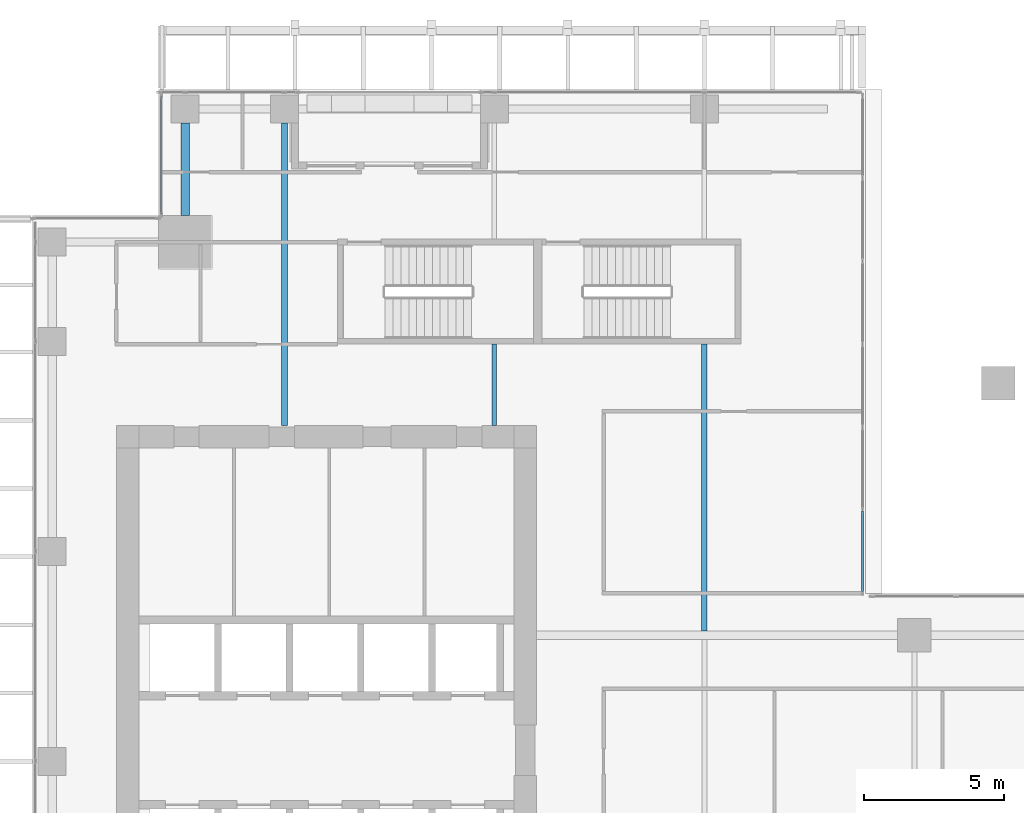
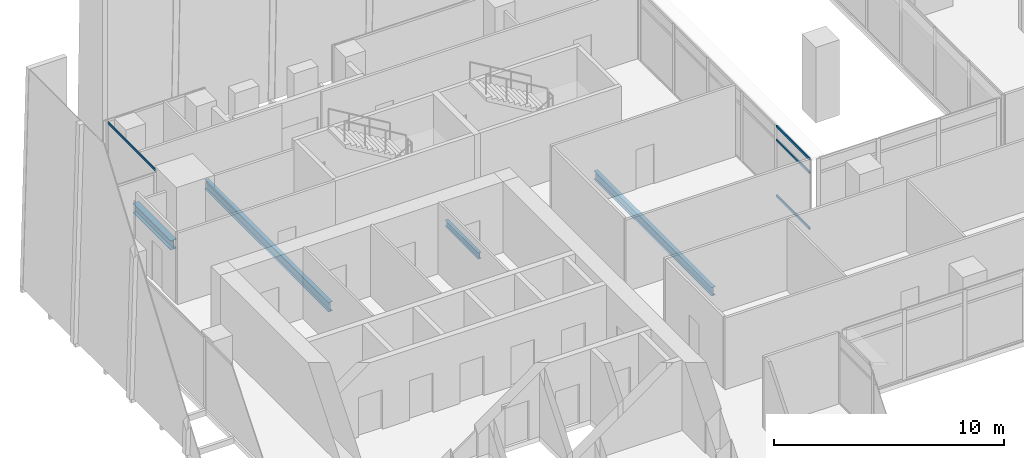
# One storey, part 18 of 40: 4 beams, 4 members, 2 elements without a shape of their own.
"""IFC4 building model written with IfcOpenShell, lengths in metres."""

from ifc_helpers import new_model, si_unit, direction, frame, origin, origin_2d, place, context, subcontext, project, spatial, hollow_rectangle, i_section, extrude, source, transform, mapped, material, material_profile, profile_set, type_object, element, aggregate, save


model = new_model("IFC4")

# Units and contexts
model_context = context("Model", 3, precision=1e-05, world=origin(), true_north=direction((0.0, 1.0)))
body_context = subcontext(model_context, "Body", "Model", "MODEL_VIEW")
ifc_project = project(units=[si_unit("LENGTHUNIT", "METRE"), si_unit("AREAUNIT", "SQUARE_METRE"), si_unit("VOLUMEUNIT", "CUBIC_METRE"), si_unit("PLANEANGLEUNIT", "RADIAN"), si_unit("MASSUNIT", "GRAM", prefix="KILO")], contexts=[model_context])

# Site, building, storey
site_placement = place(None, origin())
site = spatial("IfcSite", under=ifc_project, at=site_placement, CompositionType="ELEMENT")
building_placement = place(site_placement, origin())
building = spatial("IfcBuilding", under=site, at=building_placement, Name="Khomas Fold Tower", CompositionType="ELEMENT")
storey_placement = place(building_placement, frame((0.0, 0.0, 176.699951171875)))
storey = spatial("IfcBuildingStorey", under=building, at=storey_placement, Name="L38", CompositionType="ELEMENT", Elevation=176.699951171875)

# Beams
ifc_material_1 = material(Name="Steel S355", Category="steel")
ifc_material_profile_1 = material_profile(ifc_material_1, i_section(OverallWidth=0.18994140625, OverallDepth=0.449951171875, WebThickness=0.009521484375, FlangeThickness=0.0146484375, at=origin_2d()), Name="IPE 450")
ifc_profile_set_1 = profile_set([ifc_material_profile_1], Name="Steel S355")
beam_type_1 = type_object("IfcBeamType", Name="IPE 450 beam JB4", PredefinedType="BEAM", material=ifc_profile_set_1)
shared_shape_1 = source(origin(), body_context, "Body", "SweptSolid", [
    extrude(i_section(OverallWidth=0.18994140625, OverallDepth=0.449951171875, WebThickness=0.009521484375, FlangeThickness=0.0146484375, at=origin_2d()), origin(), (0.0, 0.0, 1.0), 10.25),
])
beam_1_placement = place(storey_placement, frame((27.0, 31.64990234375, -0.474853515625), z_axis=(0.0, 1.0, 0.0), x_axis=(-1.0, 0.0, 0.0)))
element("IfcBeam", 1, at=beam_1_placement, inside=storey, type_object=beam_type_1, Name="JB4", PredefinedType="BEAM", context=body_context, shape_type="MappedRepresentation", body=[
    mapped(shared_shape_1, transform((0.0, 0.0, 0.0))),
])
ifc_material_2 = material(Name="Steel S355", Category="steel")
ifc_material_profile_2 = material_profile(ifc_material_2, i_section(OverallWidth=0.300048828125, OverallDepth=0.5, WebThickness=0.014404296875, FlangeThickness=0.028076171875, at=origin_2d()), Name="HE 500 B")
ifc_profile_set_2 = profile_set([ifc_material_profile_2], Name="Steel S355")
beam_type_2 = type_object("IfcBeamType", Name="HE 500 B spandrel SB3", PredefinedType="SPANDREL", material=ifc_profile_set_2)
shared_shape_2 = source(origin(), body_context, "Body", "SweptSolid", [
    extrude(i_section(OverallWidth=0.300048828125, OverallDepth=0.5, WebThickness=0.014404296875, FlangeThickness=0.028076171875, at=origin_2d()), origin(), (0.0, 0.0, 1.0), 3.300048828125),
])
beam_2_placement = place(storey_placement, frame((8.449951171875, 46.5, -0.5), z_axis=(0.0, 1.0, 0.0), x_axis=(-1.0, 0.0, 0.0)))
element("IfcBeam", 2, at=beam_2_placement, inside=storey, type_object=beam_type_2, Name="SB3", PredefinedType="SPANDREL", context=body_context, shape_type="MappedRepresentation", body=[
    mapped(shared_shape_2, transform((0.0, 0.0, 0.0))),
])
ifc_material_3 = material(Name="Steel S355", Category="steel")
ifc_material_profile_3 = material_profile(ifc_material_3, i_section(OverallWidth=0.199951171875, OverallDepth=0.5, WebThickness=0.01025390625, FlangeThickness=0.01611328125, at=origin_2d()), Name="IPE 500")
ifc_profile_set_3 = profile_set([ifc_material_profile_3], Name="Steel S355")
beam_type_3 = type_object("IfcBeamType", Name="IPE 500 beam JB5", PredefinedType="BEAM", material=ifc_profile_set_3)
shared_shape_3 = source(origin(), body_context, "Body", "SweptSolid", [
    extrude(i_section(OverallWidth=0.199951171875, OverallDepth=0.5, WebThickness=0.01025390625, FlangeThickness=0.01611328125, at=origin_2d()), origin(), (0.0, 0.0, 1.0), 10.800048828125),
])
beam_3_placement = place(storey_placement, frame((12.0, 39.0, -0.5), z_axis=(0.0, 1.0, 0.0), x_axis=(-1.0, 0.0, 0.0)))
element("IfcBeam", 3, at=beam_3_placement, inside=storey, type_object=beam_type_3, Name="JB5", PredefinedType="BEAM", context=body_context, shape_type="MappedRepresentation", body=[
    mapped(shared_shape_3, transform((0.0, 0.0, 0.0))),
])
ifc_material_4 = material(Name="Steel S355", Category="steel")
ifc_material_profile_4 = material_profile(ifc_material_4, i_section(OverallWidth=0.159912109375, OverallDepth=0.330078125, WebThickness=0.007568359375, FlangeThickness=0.011474609375, at=origin_2d()), Name="IPE 330")
ifc_profile_set_4 = profile_set([ifc_material_profile_4], Name="Steel S355")
beam_type_4 = type_object("IfcBeamType", Name="IPE 330 beam JB1", PredefinedType="BEAM", material=ifc_profile_set_4)
shared_shape_4 = source(origin(), body_context, "Body", "SweptSolid", [
    extrude(i_section(OverallWidth=0.159912109375, OverallDepth=0.330078125, WebThickness=0.007568359375, FlangeThickness=0.011474609375, at=origin_2d()), origin(), (0.0, 0.0, 1.0), 2.89990234375),
])
beam_4_placement = place(storey_placement, frame((19.5, 39.0, -0.4150390625), z_axis=(0.0, 1.0, 0.0), x_axis=(-1.0, 0.0, 0.0)))
element("IfcBeam", 4, at=beam_4_placement, inside=storey, type_object=beam_type_4, Name="JB1", PredefinedType="BEAM", context=body_context, shape_type="MappedRepresentation", body=[
    mapped(shared_shape_4, transform((0.0, 0.0, 0.0))),
])

# Curtain wall, member
ifc_material_5 = material(Name="Aluminium framed double glazing", Category="aluminium")
curtain_wall_type_1 = type_object("IfcCurtainWallType", Name="SK-Unitised clear-glass wall, office floors CW2", PredefinedType="NOTDEFINED", material=ifc_material_5)
curtain_wall_1_placement = place(storey_placement, origin())
curtain_wall_1 = element("IfcCurtainWall", 5, at=curtain_wall_1_placement, inside=storey, type_object=curtain_wall_type_1, Name="CW2 corner return L38 16", PredefinedType="NOTDEFINED")
ifc_material_6 = material(Name="Aluminium", Category="aluminium")
ifc_material_profile_5 = material_profile(ifc_material_6, hollow_rectangle(XDim=0.050048828125, YDim=0.110107421875, WallThickness=0.00390625, at=origin_2d()), Name="SK-Unitised clear-glass wall, office floors transom CW2-T")
ifc_profile_set_5 = profile_set([ifc_material_profile_5], Name="Aluminium")
member_type_1 = type_object("IfcMemberType", Name="SK-Unitised clear-glass wall, office floors transom CW2-T", PredefinedType="USERDEFINED", material=ifc_profile_set_5)
shared_shape_5 = source(origin(), body_context, "Body", "SweptSolid", [
    extrude(hollow_rectangle(XDim=0.050048828125, YDim=0.110107421875, WallThickness=0.00390625, at=origin_2d()), origin(), (0.0, 0.0, 1.0), 4.179931640625),
])
member_1_placement = place(storey_placement, frame((7.60009765625, 50.739990234375, 3.695068359375), z_axis=(0.0, -1.0, 0.0), x_axis=(1.0, 0.0, 0.0)))
member_1 = element("IfcMember", 6, at=member_1_placement, type_object=member_type_1, Name="CW2 transom 1", ObjectType="TRANSOM", PredefinedType="USERDEFINED", context=body_context, shape_type="MappedRepresentation", body=[
    mapped(shared_shape_5, transform((0.0, 0.0, 0.0))),
])
aggregate(curtain_wall_1, [member_1])

# Curtain wall, members
ifc_material_7 = material(Name="Aluminium framed double glazing", Category="aluminium")
curtain_wall_type_2 = type_object("IfcCurtainWallType", Name="Notch glazing GN-CW", PredefinedType="NOTDEFINED", material=ifc_material_7)
curtain_wall_2_placement = place(storey_placement, origin())
curtain_wall_2 = element("IfcCurtainWall", 7, at=curtain_wall_2_placement, inside=storey, type_object=curtain_wall_type_2, Name="Notch glazing run", PredefinedType="NOTDEFINED")
ifc_material_8 = material(Name="Aluminium", Category="aluminium")
ifc_material_profile_6 = material_profile(ifc_material_8, hollow_rectangle(XDim=0.06005859375, YDim=0.1201171875, WallThickness=0.00390625, at=origin_2d()), Name="Notch glazing transom GN-CW-T")
ifc_profile_set_6 = profile_set([ifc_material_profile_6], Name="Aluminium")
member_type_2 = type_object("IfcMemberType", Name="Notch glazing transom GN-CW-T", PredefinedType="USERDEFINED", material=ifc_profile_set_6)
shared_shape_6 = source(origin(), body_context, "Body", "SweptSolid", [
    extrude(hollow_rectangle(XDim=0.06005859375, YDim=0.1201171875, WallThickness=0.00390625, at=origin_2d()), origin(), (0.0, 0.0, 1.0), 2.876708984375),
])
member_2_placement = place(storey_placement, frame((32.64990234375, 33.06005859375, 0.030029296875), z_axis=(0.0, 1.0, 0.0), x_axis=(-1.0, 0.0, 0.0)))
member_2 = element("IfcMember", 8, at=member_2_placement, type_object=member_type_2, Name="GN-CW transom 1.1", ObjectType="TRANSOM", PredefinedType="USERDEFINED", context=body_context, shape_type="MappedRepresentation", body=[
    mapped(shared_shape_6, transform((0.0, 0.0, 0.0))),
])
member_3_placement = place(storey_placement, frame((32.64990234375, 33.06005859375, 3.0), z_axis=(0.0, 1.0, 0.0), x_axis=(-1.0, 0.0, 0.0)))
member_3 = element("IfcMember", 9, at=member_3_placement, type_object=member_type_2, Name="GN-CW transom 1.2", ObjectType="TRANSOM", PredefinedType="USERDEFINED", context=body_context, shape_type="MappedRepresentation", body=[
    mapped(shared_shape_6, transform((0.0, 0.0, 0.0))),
])
member_4_placement = place(storey_placement, frame((32.64990234375, 33.06005859375, 3.719970703125), z_axis=(0.0, 1.0, 0.0), x_axis=(-1.0, 0.0, 0.0)))
member_4 = element("IfcMember", 10, at=member_4_placement, type_object=member_type_2, Name="GN-CW transom 1.3", ObjectType="TRANSOM", PredefinedType="USERDEFINED", context=body_context, shape_type="MappedRepresentation", body=[
    mapped(shared_shape_6, transform((0.0, 0.0, 0.0))),
])
aggregate(curtain_wall_2, [member_2, member_3, member_4])

save(model, "model.ifc")
